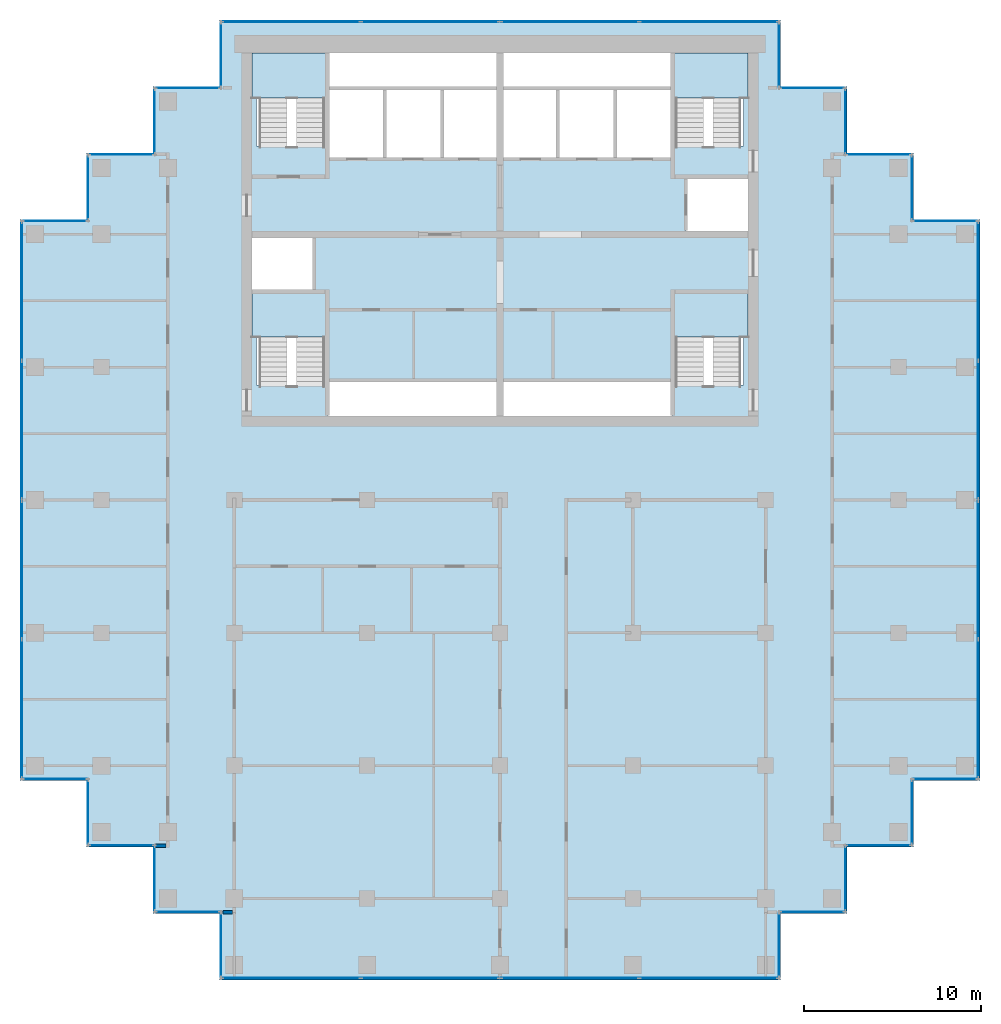
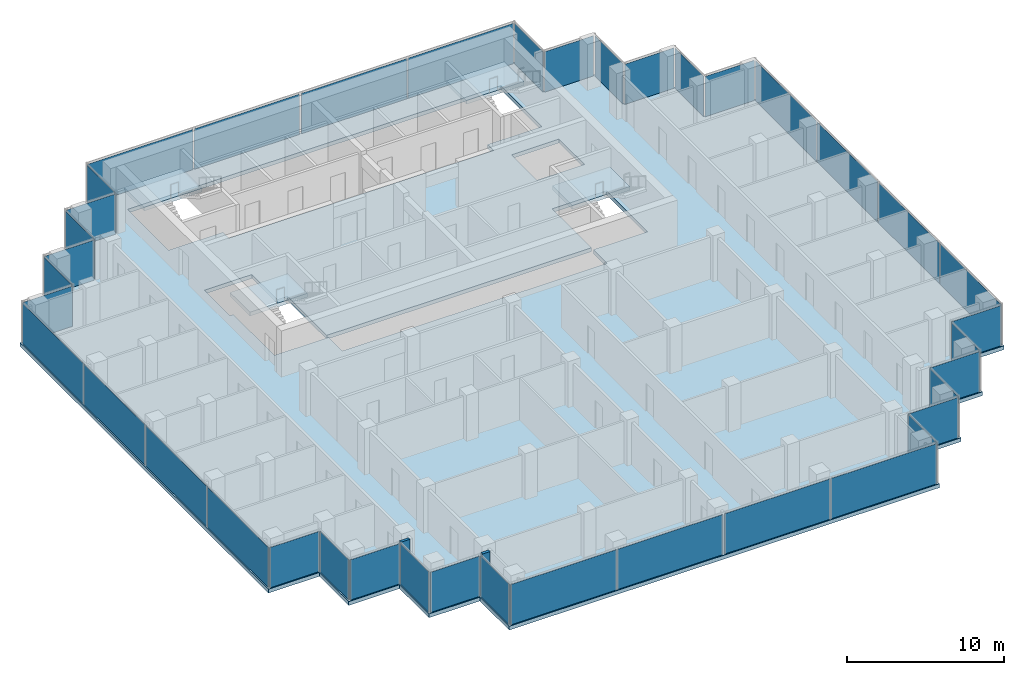
# One storey, part 7 of 12: 40 plates, 5 slabs, 2 walls, 36 elements without a shape of their own.
"""IFC4 building model written with IfcOpenShell, lengths in metres."""

from ifc_helpers import new_model, si_unit, direction, frame, frame_2d, origin, origin_2d, place, context, subcontext, project, spatial, polyline, rectangle, outline, extrude, material, layer, layer_set, type_object, element, aggregate, save


model = new_model("IFC4")

# Units and contexts
model_context = context("Model", 3, precision=1e-05, world=origin(), true_north=direction((0.0, 1.0)))
body_context = subcontext(model_context, "Body", "Model", "MODEL_VIEW")
ifc_project = project(units=[si_unit("LENGTHUNIT", "METRE"), si_unit("AREAUNIT", "SQUARE_METRE"), si_unit("VOLUMEUNIT", "CUBIC_METRE"), si_unit("PLANEANGLEUNIT", "RADIAN"), si_unit("MASSUNIT", "GRAM", prefix="KILO")], contexts=[model_context])

# Site, building, storey
site_placement = place(None, origin())
site = spatial("IfcSite", under=ifc_project, at=site_placement, CompositionType="ELEMENT")
building_placement = place(site_placement, origin())
building = spatial("IfcBuilding", under=site, at=building_placement, Name="Pilkhan Gate Tower", CompositionType="ELEMENT")
storey_placement = place(building_placement, frame((0.0, 0.0, 188.699951171875)))
storey = spatial("IfcBuildingStorey", under=building, at=storey_placement, Name="L48", CompositionType="ELEMENT", Elevation=188.699951171875)

# Slab
ifc_material_1 = material(Name="Concrete C40/50", Category="concrete")
ifc_layer_1 = layer(ifc_material_1, 0.300048828125)
ifc_layer_set_1 = layer_set([ifc_layer_1], Name="Flat plate slab FP300")
slab_type_1 = type_object("IfcSlabType", Name="Flat plate slab FP300", PredefinedType="FLOOR", material=ifc_layer_set_1)
slab_1_placement = place(storey_placement, frame((0.0, 0.0, -0.300048828125)))
element("IfcSlab", 1, at=slab_1_placement, inside=storey, type_object=slab_type_1, Name="Floor slab L48", PredefinedType="FLOOR", context=body_context, shape_type="SweptSolid", body=[
    extrude(outline(polyline([(98.35009765625, 47.89990234375), (94.60009765625, 47.89990234375), (94.60009765625, 44.14990234375), (90.85009765625, 44.14990234375), (90.85009765625, 40.39990234375), (59.14990234375, 40.39990234375), (59.14990234375, 44.14990234375), (55.39990234375, 44.14990234375), (55.39990234375, 47.89990234375), (51.64990234375, 47.89990234375), (51.64990234375, 51.64990234375), (47.89990234375, 51.64990234375), (47.89990234375, 83.35009765625), (51.64990234375, 83.35009765625), (51.64990234375, 87.10009765625), (55.39990234375, 87.10009765625), (55.39990234375, 90.85009765625), (59.14990234375, 90.85009765625), (59.14990234375, 94.60009765625), (90.85009765625, 94.60009765625), (90.85009765625, 90.85009765625), (94.60009765625, 90.85009765625), (94.60009765625, 87.10009765625), (98.35009765625, 87.10009765625), (98.35009765625, 83.35009765625), (102.10009765625, 83.35009765625), (102.10009765625, 51.64990234375), (98.35009765625, 51.64990234375), (98.35009765625, 47.89990234375)]), holes=[polyline([(75.0, 72.25), (84.75, 72.25), (84.75, 74.0), (88.75, 74.0), (88.75, 79.25), (84.75, 79.25), (84.75, 74.25), (75.0, 74.25), (65.25, 74.25), (65.25, 79.25), (64.5, 79.25), (64.5, 82.5), (61.25, 82.5), (61.0, 82.5), (61.0, 79.25), (61.25, 79.25), (61.25, 74.0), (65.25, 74.0), (65.25, 72.25), (75.0, 72.25)]), polyline([(68.5, 86.75), (71.75, 86.75), (75.0, 86.75), (78.25, 86.75), (81.5, 86.75), (84.75, 86.75), (84.75, 87.5), (88.75, 87.5), (88.75, 92.75), (84.75, 92.75), (75.0, 92.75), (65.25, 92.75), (61.25, 92.75), (61.25, 87.5), (65.25, 87.5), (65.25, 86.75), (68.5, 86.75)]), polyline([(85.5, 85.75), (85.5, 82.5), (88.75, 82.5), (89.0, 82.5), (89.0, 85.75), (88.75, 85.75), (85.5, 85.75)])]), origin(), (0.0, 0.0, 1.0), 0.300048828125),
])

# Curtain wall, plates
ifc_material_2 = material(Name="Pale anodised aluminium, clear low-iron double glazing", Category="aluminium")
curtain_wall_type = type_object("IfcCurtainWallType", Name="Office unitised curtain wall CW-O2", PredefinedType="USERDEFINED", material=ifc_material_2)
curtain_wall_1_placement = place(storey_placement, origin())
curtain_wall_1 = element("IfcCurtainWall", 2, at=curtain_wall_1_placement, inside=storey, type_object=curtain_wall_type, Name="Office unitised curtain wall CW-O2 L48 E", ObjectType="UNITISED CURTAIN WALL", PredefinedType="USERDEFINED")
ifc_material_3 = material(Name="Clear low-iron double glazing", Category="glass")
ifc_layer_2 = layer(ifc_material_3, 0.031982421875)
ifc_layer_set_2 = layer_set([ifc_layer_2], Name="Glass panel CW-O2 32")
plate_type = type_object("IfcPlateType", Name="Glass panel CW-O2 32", PredefinedType="CURTAIN_PANEL", material=ifc_layer_set_2)
plate_1_placement = place(storey_placement, frame((102.0, 55.703857421875, 0.0), z_axis=(0.0, 0.0, 1.0), x_axis=(0.0, 1.0, 0.0)))
plate_1 = element("IfcPlate", 3, at=plate_1_placement, type_object=plate_type, Name="CW-O2 panel 1", PredefinedType="CURTAIN_PANEL", context=body_context, shape_type="SweptSolid", body=[
    extrude(rectangle(XDim=7.777587890625, YDim=0.031982421875, at=origin_2d()), origin(), (0.0, 0.0, 1.0), 3.135009765625),
])
plate_2_placement = place(storey_placement, frame((102.0, 63.546142578125, 0.0), z_axis=(0.0, 0.0, 1.0), x_axis=(0.0, 1.0, 0.0)))
plate_2 = element("IfcPlate", 4, at=plate_2_placement, type_object=plate_type, Name="CW-O2 panel 2", PredefinedType="CURTAIN_PANEL", context=body_context, shape_type="SweptSolid", body=[
    extrude(rectangle(XDim=7.777587890625, YDim=0.031982421875, at=origin_2d()), origin(), (0.0, 0.0, 1.0), 3.135009765625),
])
aggregate(curtain_wall_1, [plate_1, plate_2])

curtain_wall_2_placement = place(storey_placement, origin())
curtain_wall_2 = element("IfcCurtainWall", 5, at=curtain_wall_2_placement, inside=storey, type_object=curtain_wall_type, Name="Office unitised curtain wall CW-O2 L48 E", ObjectType="UNITISED CURTAIN WALL", PredefinedType="USERDEFINED")
plate_3_placement = place(storey_placement, frame((102.0, 71.453857421875, 0.0), z_axis=(0.0, 0.0, 1.0), x_axis=(0.0, 1.0, 0.0)))
plate_3 = element("IfcPlate", 6, at=plate_3_placement, type_object=plate_type, Name="CW-O2 panel 1", PredefinedType="CURTAIN_PANEL", context=body_context, shape_type="SweptSolid", body=[
    extrude(rectangle(XDim=7.777587890625, YDim=0.031982421875, at=origin_2d()), origin(), (0.0, 0.0, 1.0), 3.135009765625),
])
plate_4_placement = place(storey_placement, frame((102.0, 79.296142578125, 0.0), z_axis=(0.0, 0.0, 1.0), x_axis=(0.0, 1.0, 0.0)))
plate_4 = element("IfcPlate", 7, at=plate_4_placement, type_object=plate_type, Name="CW-O2 panel 2", PredefinedType="CURTAIN_PANEL", context=body_context, shape_type="SweptSolid", body=[
    extrude(rectangle(XDim=7.777587890625, YDim=0.031982421875, at=origin_2d()), origin(), (0.0, 0.0, 1.0), 3.135009765625),
])
aggregate(curtain_wall_2, [plate_3, plate_4])

# Curtain wall, plate
curtain_wall_3_placement = place(storey_placement, origin())
curtain_wall_3 = element("IfcCurtainWall", 8, at=curtain_wall_3_placement, inside=storey, type_object=curtain_wall_type, Name="Office unitised curtain wall CW-O2 L48 N", ObjectType="UNITISED CURTAIN WALL", PredefinedType="USERDEFINED")
plate_5_placement = place(storey_placement, frame((100.125, 83.25, 0.0), z_axis=(0.0, 0.0, 1.0), x_axis=(1.0, 0.0, 0.0)))
plate_5 = element("IfcPlate", 9, at=plate_5_placement, type_object=plate_type, Name="CW-O2 panel 1", PredefinedType="CURTAIN_PANEL", context=body_context, shape_type="SweptSolid", body=[
    extrude(rectangle(XDim=3.6201171875, YDim=0.031982421875, at=origin_2d()), origin(), (0.0, 0.0, 1.0), 3.135009765625),
])
aggregate(curtain_wall_3, [plate_5])

curtain_wall_4_placement = place(storey_placement, origin())
curtain_wall_4 = element("IfcCurtainWall", 10, at=curtain_wall_4_placement, inside=storey, type_object=curtain_wall_type, Name="Office unitised curtain wall CW-O2 L48 E", ObjectType="UNITISED CURTAIN WALL", PredefinedType="USERDEFINED")
plate_6_placement = place(storey_placement, frame((98.25, 85.125, 0.0), z_axis=(0.0, 0.0, 1.0), x_axis=(0.0, 1.0, 0.0)))
plate_6 = element("IfcPlate", 11, at=plate_6_placement, type_object=plate_type, Name="CW-O2 panel 1", PredefinedType="CURTAIN_PANEL", context=body_context, shape_type="SweptSolid", body=[
    extrude(rectangle(XDim=3.6201171875, YDim=0.031982421875, at=origin_2d()), origin(), (0.0, 0.0, 1.0), 3.135009765625),
])
aggregate(curtain_wall_4, [plate_6])

curtain_wall_5_placement = place(storey_placement, origin())
curtain_wall_5 = element("IfcCurtainWall", 12, at=curtain_wall_5_placement, inside=storey, type_object=curtain_wall_type, Name="Office unitised curtain wall CW-O2 L48 N", ObjectType="UNITISED CURTAIN WALL", PredefinedType="USERDEFINED")
plate_7_placement = place(storey_placement, frame((96.375, 87.0, 0.0), z_axis=(0.0, 0.0, 1.0), x_axis=(1.0, 0.0, 0.0)))
plate_7 = element("IfcPlate", 13, at=plate_7_placement, type_object=plate_type, Name="CW-O2 panel 1", PredefinedType="CURTAIN_PANEL", context=body_context, shape_type="SweptSolid", body=[
    extrude(rectangle(XDim=3.6201171875, YDim=0.031982421875, at=origin_2d()), origin(), (0.0, 0.0, 1.0), 3.135009765625),
])
aggregate(curtain_wall_5, [plate_7])

curtain_wall_6_placement = place(storey_placement, origin())
curtain_wall_6 = element("IfcCurtainWall", 14, at=curtain_wall_6_placement, inside=storey, type_object=curtain_wall_type, Name="Office unitised curtain wall CW-O2 L48 E", ObjectType="UNITISED CURTAIN WALL", PredefinedType="USERDEFINED")
plate_8_placement = place(storey_placement, frame((94.5, 88.875, 0.0), z_axis=(0.0, 0.0, 1.0), x_axis=(0.0, 1.0, 0.0)))
plate_8 = element("IfcPlate", 15, at=plate_8_placement, type_object=plate_type, Name="CW-O2 panel 1", PredefinedType="CURTAIN_PANEL", context=body_context, shape_type="SweptSolid", body=[
    extrude(rectangle(XDim=3.6201171875, YDim=0.031982421875, at=origin_2d()), origin(), (0.0, 0.0, 1.0), 3.135009765625),
])
aggregate(curtain_wall_6, [plate_8])

curtain_wall_7_placement = place(storey_placement, origin())
curtain_wall_7 = element("IfcCurtainWall", 16, at=curtain_wall_7_placement, inside=storey, type_object=curtain_wall_type, Name="Office unitised curtain wall CW-O2 L48 N", ObjectType="UNITISED CURTAIN WALL", PredefinedType="USERDEFINED")
plate_9_placement = place(storey_placement, frame((92.625, 90.75, 0.0), z_axis=(0.0, 0.0, 1.0), x_axis=(1.0, 0.0, 0.0)))
plate_9 = element("IfcPlate", 17, at=plate_9_placement, type_object=plate_type, Name="CW-O2 panel 1", PredefinedType="CURTAIN_PANEL", context=body_context, shape_type="SweptSolid", body=[
    extrude(rectangle(XDim=3.6201171875, YDim=0.031982421875, at=origin_2d()), origin(), (0.0, 0.0, 1.0), 3.135009765625),
])
aggregate(curtain_wall_7, [plate_9])

curtain_wall_8_placement = place(storey_placement, origin())
curtain_wall_8 = element("IfcCurtainWall", 18, at=curtain_wall_8_placement, inside=storey, type_object=curtain_wall_type, Name="Office unitised curtain wall CW-O2 L48 E", ObjectType="UNITISED CURTAIN WALL", PredefinedType="USERDEFINED")
plate_10_placement = place(storey_placement, frame((90.75, 92.625, 0.0), z_axis=(0.0, 0.0, 1.0), x_axis=(0.0, 1.0, 0.0)))
plate_10 = element("IfcPlate", 19, at=plate_10_placement, type_object=plate_type, Name="CW-O2 panel 1", PredefinedType="CURTAIN_PANEL", context=body_context, shape_type="SweptSolid", body=[
    extrude(rectangle(XDim=3.6201171875, YDim=0.031982421875, at=origin_2d()), origin(), (0.0, 0.0, 1.0), 3.135009765625),
])
aggregate(curtain_wall_8, [plate_10])

# Curtain wall, plates
curtain_wall_9_placement = place(storey_placement, origin())
curtain_wall_9 = element("IfcCurtainWall", 20, at=curtain_wall_9_placement, inside=storey, type_object=curtain_wall_type, Name="Office unitised curtain wall CW-O2 L48 N", ObjectType="UNITISED CURTAIN WALL", PredefinedType="USERDEFINED")
plate_11_placement = place(storey_placement, frame((63.203857421875, 94.5, 0.0), z_axis=(0.0, 0.0, 1.0), x_axis=(1.0, 0.0, 0.0)))
plate_11 = element("IfcPlate", 21, at=plate_11_placement, type_object=plate_type, Name="CW-O2 panel 1", PredefinedType="CURTAIN_PANEL", context=body_context, shape_type="SweptSolid", body=[
    extrude(rectangle(XDim=7.777587890625, YDim=0.031982421875, at=origin_2d()), origin(), (0.0, 0.0, 1.0), 3.135009765625),
])
plate_12_placement = place(storey_placement, frame((71.046142578125, 94.5, 0.0), z_axis=(0.0, 0.0, 1.0), x_axis=(1.0, 0.0, 0.0)))
plate_12 = element("IfcPlate", 22, at=plate_12_placement, type_object=plate_type, Name="CW-O2 panel 2", PredefinedType="CURTAIN_PANEL", context=body_context, shape_type="SweptSolid", body=[
    extrude(rectangle(XDim=7.777587890625, YDim=0.031982421875, at=origin_2d()), origin(), (0.0, 0.0, 1.0), 3.135009765625),
])
aggregate(curtain_wall_9, [plate_11, plate_12])

curtain_wall_10_placement = place(storey_placement, origin())
curtain_wall_10 = element("IfcCurtainWall", 23, at=curtain_wall_10_placement, inside=storey, type_object=curtain_wall_type, Name="Office unitised curtain wall CW-O2 L48 N", ObjectType="UNITISED CURTAIN WALL", PredefinedType="USERDEFINED")
plate_13_placement = place(storey_placement, frame((78.953857421875, 94.5, 0.0), z_axis=(0.0, 0.0, 1.0), x_axis=(1.0, 0.0, 0.0)))
plate_13 = element("IfcPlate", 24, at=plate_13_placement, type_object=plate_type, Name="CW-O2 panel 1", PredefinedType="CURTAIN_PANEL", context=body_context, shape_type="SweptSolid", body=[
    extrude(rectangle(XDim=7.777587890625, YDim=0.031982421875, at=origin_2d()), origin(), (0.0, 0.0, 1.0), 3.135009765625),
])
plate_14_placement = place(storey_placement, frame((86.796142578125, 94.5, 0.0), z_axis=(0.0, 0.0, 1.0), x_axis=(1.0, 0.0, 0.0)))
plate_14 = element("IfcPlate", 25, at=plate_14_placement, type_object=plate_type, Name="CW-O2 panel 2", PredefinedType="CURTAIN_PANEL", context=body_context, shape_type="SweptSolid", body=[
    extrude(rectangle(XDim=7.777587890625, YDim=0.031982421875, at=origin_2d()), origin(), (0.0, 0.0, 1.0), 3.135009765625),
])
aggregate(curtain_wall_10, [plate_13, plate_14])

# Curtain wall, plate
curtain_wall_11_placement = place(storey_placement, origin())
curtain_wall_11 = element("IfcCurtainWall", 26, at=curtain_wall_11_placement, inside=storey, type_object=curtain_wall_type, Name="Office unitised curtain wall CW-O2 L48 W", ObjectType="UNITISED CURTAIN WALL", PredefinedType="USERDEFINED")
plate_15_placement = place(storey_placement, frame((59.25, 92.625, 0.0), z_axis=(0.0, 0.0, 1.0), x_axis=(0.0, 1.0, 0.0)))
plate_15 = element("IfcPlate", 27, at=plate_15_placement, type_object=plate_type, Name="CW-O2 panel 1", PredefinedType="CURTAIN_PANEL", context=body_context, shape_type="SweptSolid", body=[
    extrude(rectangle(XDim=3.6201171875, YDim=0.031982421875, at=origin_2d()), origin(), (0.0, 0.0, 1.0), 3.135009765625),
])
aggregate(curtain_wall_11, [plate_15])

curtain_wall_12_placement = place(storey_placement, origin())
curtain_wall_12 = element("IfcCurtainWall", 28, at=curtain_wall_12_placement, inside=storey, type_object=curtain_wall_type, Name="Office unitised curtain wall CW-O2 L48 N", ObjectType="UNITISED CURTAIN WALL", PredefinedType="USERDEFINED")
plate_16_placement = place(storey_placement, frame((57.375, 90.75, 0.0), z_axis=(0.0, 0.0, 1.0), x_axis=(1.0, 0.0, 0.0)))
plate_16 = element("IfcPlate", 29, at=plate_16_placement, type_object=plate_type, Name="CW-O2 panel 1", PredefinedType="CURTAIN_PANEL", context=body_context, shape_type="SweptSolid", body=[
    extrude(rectangle(XDim=3.6201171875, YDim=0.031982421875, at=origin_2d()), origin(), (0.0, 0.0, 1.0), 3.135009765625),
])
aggregate(curtain_wall_12, [plate_16])

curtain_wall_13_placement = place(storey_placement, origin())
curtain_wall_13 = element("IfcCurtainWall", 30, at=curtain_wall_13_placement, inside=storey, type_object=curtain_wall_type, Name="Office unitised curtain wall CW-O2 L48 W", ObjectType="UNITISED CURTAIN WALL", PredefinedType="USERDEFINED")
plate_17_placement = place(storey_placement, frame((55.5, 88.875, 0.0), z_axis=(0.0, 0.0, 1.0), x_axis=(0.0, 1.0, 0.0)))
plate_17 = element("IfcPlate", 31, at=plate_17_placement, type_object=plate_type, Name="CW-O2 panel 1", PredefinedType="CURTAIN_PANEL", context=body_context, shape_type="SweptSolid", body=[
    extrude(rectangle(XDim=3.6201171875, YDim=0.031982421875, at=origin_2d()), origin(), (0.0, 0.0, 1.0), 3.135009765625),
])
aggregate(curtain_wall_13, [plate_17])

curtain_wall_14_placement = place(storey_placement, origin())
curtain_wall_14 = element("IfcCurtainWall", 32, at=curtain_wall_14_placement, inside=storey, type_object=curtain_wall_type, Name="Office unitised curtain wall CW-O2 L48 N", ObjectType="UNITISED CURTAIN WALL", PredefinedType="USERDEFINED")
plate_18_placement = place(storey_placement, frame((53.625, 87.0, 0.0), z_axis=(0.0, 0.0, 1.0), x_axis=(1.0, 0.0, 0.0)))
plate_18 = element("IfcPlate", 33, at=plate_18_placement, type_object=plate_type, Name="CW-O2 panel 1", PredefinedType="CURTAIN_PANEL", context=body_context, shape_type="SweptSolid", body=[
    extrude(rectangle(XDim=3.6201171875, YDim=0.031982421875, at=origin_2d()), origin(), (0.0, 0.0, 1.0), 3.135009765625),
])
aggregate(curtain_wall_14, [plate_18])

curtain_wall_15_placement = place(storey_placement, origin())
curtain_wall_15 = element("IfcCurtainWall", 34, at=curtain_wall_15_placement, inside=storey, type_object=curtain_wall_type, Name="Office unitised curtain wall CW-O2 L48 W", ObjectType="UNITISED CURTAIN WALL", PredefinedType="USERDEFINED")
plate_19_placement = place(storey_placement, frame((51.75, 85.125, 0.0), z_axis=(0.0, 0.0, 1.0), x_axis=(0.0, 1.0, 0.0)))
plate_19 = element("IfcPlate", 35, at=plate_19_placement, type_object=plate_type, Name="CW-O2 panel 1", PredefinedType="CURTAIN_PANEL", context=body_context, shape_type="SweptSolid", body=[
    extrude(rectangle(XDim=3.6201171875, YDim=0.031982421875, at=origin_2d()), origin(), (0.0, 0.0, 1.0), 3.135009765625),
])
aggregate(curtain_wall_15, [plate_19])

curtain_wall_16_placement = place(storey_placement, origin())
curtain_wall_16 = element("IfcCurtainWall", 36, at=curtain_wall_16_placement, inside=storey, type_object=curtain_wall_type, Name="Office unitised curtain wall CW-O2 L48 N", ObjectType="UNITISED CURTAIN WALL", PredefinedType="USERDEFINED")
plate_20_placement = place(storey_placement, frame((49.875, 83.25, 0.0), z_axis=(0.0, 0.0, 1.0), x_axis=(1.0, 0.0, 0.0)))
plate_20 = element("IfcPlate", 37, at=plate_20_placement, type_object=plate_type, Name="CW-O2 panel 1", PredefinedType="CURTAIN_PANEL", context=body_context, shape_type="SweptSolid", body=[
    extrude(rectangle(XDim=3.6201171875, YDim=0.031982421875, at=origin_2d()), origin(), (0.0, 0.0, 1.0), 3.135009765625),
])
aggregate(curtain_wall_16, [plate_20])

# Curtain wall, plates
curtain_wall_17_placement = place(storey_placement, origin())
curtain_wall_17 = element("IfcCurtainWall", 38, at=curtain_wall_17_placement, inside=storey, type_object=curtain_wall_type, Name="Office unitised curtain wall CW-O2 L48 W", ObjectType="UNITISED CURTAIN WALL", PredefinedType="USERDEFINED")
plate_21_placement = place(storey_placement, frame((48.0, 55.703857421875, 0.0), z_axis=(0.0, 0.0, 1.0), x_axis=(0.0, 1.0, 0.0)))
plate_21 = element("IfcPlate", 39, at=plate_21_placement, type_object=plate_type, Name="CW-O2 panel 1", PredefinedType="CURTAIN_PANEL", context=body_context, shape_type="SweptSolid", body=[
    extrude(rectangle(XDim=7.777587890625, YDim=0.031982421875, at=origin_2d()), origin(), (0.0, 0.0, 1.0), 3.135009765625),
])
plate_22_placement = place(storey_placement, frame((48.0, 63.546142578125, 0.0), z_axis=(0.0, 0.0, 1.0), x_axis=(0.0, 1.0, 0.0)))
plate_22 = element("IfcPlate", 40, at=plate_22_placement, type_object=plate_type, Name="CW-O2 panel 2", PredefinedType="CURTAIN_PANEL", context=body_context, shape_type="SweptSolid", body=[
    extrude(rectangle(XDim=7.777587890625, YDim=0.031982421875, at=origin_2d()), origin(), (0.0, 0.0, 1.0), 3.135009765625),
])
aggregate(curtain_wall_17, [plate_21, plate_22])

curtain_wall_18_placement = place(storey_placement, origin())
curtain_wall_18 = element("IfcCurtainWall", 41, at=curtain_wall_18_placement, inside=storey, type_object=curtain_wall_type, Name="Office unitised curtain wall CW-O2 L48 W", ObjectType="UNITISED CURTAIN WALL", PredefinedType="USERDEFINED")
plate_23_placement = place(storey_placement, frame((48.0, 71.453857421875, 0.0), z_axis=(0.0, 0.0, 1.0), x_axis=(0.0, 1.0, 0.0)))
plate_23 = element("IfcPlate", 42, at=plate_23_placement, type_object=plate_type, Name="CW-O2 panel 1", PredefinedType="CURTAIN_PANEL", context=body_context, shape_type="SweptSolid", body=[
    extrude(rectangle(XDim=7.777587890625, YDim=0.031982421875, at=origin_2d()), origin(), (0.0, 0.0, 1.0), 3.135009765625),
])
plate_24_placement = place(storey_placement, frame((48.0, 79.296142578125, 0.0), z_axis=(0.0, 0.0, 1.0), x_axis=(0.0, 1.0, 0.0)))
plate_24 = element("IfcPlate", 43, at=plate_24_placement, type_object=plate_type, Name="CW-O2 panel 2", PredefinedType="CURTAIN_PANEL", context=body_context, shape_type="SweptSolid", body=[
    extrude(rectangle(XDim=7.777587890625, YDim=0.031982421875, at=origin_2d()), origin(), (0.0, 0.0, 1.0), 3.135009765625),
])
aggregate(curtain_wall_18, [plate_23, plate_24])

# Curtain wall, plate
curtain_wall_19_placement = place(storey_placement, origin())
curtain_wall_19 = element("IfcCurtainWall", 44, at=curtain_wall_19_placement, inside=storey, type_object=curtain_wall_type, Name="Office unitised curtain wall CW-O2 L48 S", ObjectType="UNITISED CURTAIN WALL", PredefinedType="USERDEFINED")
plate_25_placement = place(storey_placement, frame((49.875, 51.75, 0.0), z_axis=(0.0, 0.0, 1.0), x_axis=(1.0, 0.0, 0.0)))
plate_25 = element("IfcPlate", 45, at=plate_25_placement, type_object=plate_type, Name="CW-O2 panel 1", PredefinedType="CURTAIN_PANEL", context=body_context, shape_type="SweptSolid", body=[
    extrude(rectangle(XDim=3.6201171875, YDim=0.031982421875, at=origin_2d()), origin(), (0.0, 0.0, 1.0), 3.135009765625),
])
aggregate(curtain_wall_19, [plate_25])

curtain_wall_20_placement = place(storey_placement, origin())
curtain_wall_20 = element("IfcCurtainWall", 46, at=curtain_wall_20_placement, inside=storey, type_object=curtain_wall_type, Name="Office unitised curtain wall CW-O2 L48 W", ObjectType="UNITISED CURTAIN WALL", PredefinedType="USERDEFINED")
plate_26_placement = place(storey_placement, frame((51.75, 49.875, 0.0), z_axis=(0.0, 0.0, 1.0), x_axis=(0.0, 1.0, 0.0)))
plate_26 = element("IfcPlate", 47, at=plate_26_placement, type_object=plate_type, Name="CW-O2 panel 1", PredefinedType="CURTAIN_PANEL", context=body_context, shape_type="SweptSolid", body=[
    extrude(rectangle(XDim=3.6201171875, YDim=0.031982421875, at=origin_2d()), origin(), (0.0, 0.0, 1.0), 3.135009765625),
])
aggregate(curtain_wall_20, [plate_26])

curtain_wall_21_placement = place(storey_placement, origin())
curtain_wall_21 = element("IfcCurtainWall", 48, at=curtain_wall_21_placement, inside=storey, type_object=curtain_wall_type, Name="Office unitised curtain wall CW-O2 L48 S", ObjectType="UNITISED CURTAIN WALL", PredefinedType="USERDEFINED")
plate_27_placement = place(storey_placement, frame((53.625, 48.0, 0.0), z_axis=(0.0, 0.0, 1.0), x_axis=(1.0, 0.0, 0.0)))
plate_27 = element("IfcPlate", 49, at=plate_27_placement, type_object=plate_type, Name="CW-O2 panel 1", PredefinedType="CURTAIN_PANEL", context=body_context, shape_type="SweptSolid", body=[
    extrude(rectangle(XDim=3.6201171875, YDim=0.031982421875, at=origin_2d()), origin(), (0.0, 0.0, 1.0), 3.135009765625),
])
aggregate(curtain_wall_21, [plate_27])

curtain_wall_22_placement = place(storey_placement, origin())
curtain_wall_22 = element("IfcCurtainWall", 50, at=curtain_wall_22_placement, inside=storey, type_object=curtain_wall_type, Name="Office unitised curtain wall CW-O2 L48 W", ObjectType="UNITISED CURTAIN WALL", PredefinedType="USERDEFINED")
plate_28_placement = place(storey_placement, frame((55.5, 46.125, 0.0), z_axis=(0.0, 0.0, 1.0), x_axis=(0.0, 1.0, 0.0)))
plate_28 = element("IfcPlate", 51, at=plate_28_placement, type_object=plate_type, Name="CW-O2 panel 1", PredefinedType="CURTAIN_PANEL", context=body_context, shape_type="SweptSolid", body=[
    extrude(rectangle(XDim=3.6201171875, YDim=0.031982421875, at=origin_2d()), origin(), (0.0, 0.0, 1.0), 3.135009765625),
])
aggregate(curtain_wall_22, [plate_28])

curtain_wall_23_placement = place(storey_placement, origin())
curtain_wall_23 = element("IfcCurtainWall", 52, at=curtain_wall_23_placement, inside=storey, type_object=curtain_wall_type, Name="Office unitised curtain wall CW-O2 L48 S", ObjectType="UNITISED CURTAIN WALL", PredefinedType="USERDEFINED")
plate_29_placement = place(storey_placement, frame((57.375, 44.25, 0.0), z_axis=(0.0, 0.0, 1.0), x_axis=(1.0, 0.0, 0.0)))
plate_29 = element("IfcPlate", 53, at=plate_29_placement, type_object=plate_type, Name="CW-O2 panel 1", PredefinedType="CURTAIN_PANEL", context=body_context, shape_type="SweptSolid", body=[
    extrude(rectangle(XDim=3.6201171875, YDim=0.031982421875, at=origin_2d()), origin(), (0.0, 0.0, 1.0), 3.135009765625),
])
aggregate(curtain_wall_23, [plate_29])

curtain_wall_24_placement = place(storey_placement, origin())
curtain_wall_24 = element("IfcCurtainWall", 54, at=curtain_wall_24_placement, inside=storey, type_object=curtain_wall_type, Name="Office unitised curtain wall CW-O2 L48 W", ObjectType="UNITISED CURTAIN WALL", PredefinedType="USERDEFINED")
plate_30_placement = place(storey_placement, frame((59.25, 42.375, 0.0), z_axis=(0.0, 0.0, 1.0), x_axis=(0.0, 1.0, 0.0)))
plate_30 = element("IfcPlate", 55, at=plate_30_placement, type_object=plate_type, Name="CW-O2 panel 1", PredefinedType="CURTAIN_PANEL", context=body_context, shape_type="SweptSolid", body=[
    extrude(rectangle(XDim=3.6201171875, YDim=0.031982421875, at=origin_2d()), origin(), (0.0, 0.0, 1.0), 3.135009765625),
])
aggregate(curtain_wall_24, [plate_30])

# Curtain wall, plates
curtain_wall_25_placement = place(storey_placement, origin())
curtain_wall_25 = element("IfcCurtainWall", 56, at=curtain_wall_25_placement, inside=storey, type_object=curtain_wall_type, Name="Office unitised curtain wall CW-O2 L48 S", ObjectType="UNITISED CURTAIN WALL", PredefinedType="USERDEFINED")
plate_31_placement = place(storey_placement, frame((63.203857421875, 40.5, 0.0), z_axis=(0.0, 0.0, 1.0), x_axis=(1.0, 0.0, 0.0)))
plate_31 = element("IfcPlate", 57, at=plate_31_placement, type_object=plate_type, Name="CW-O2 panel 1", PredefinedType="CURTAIN_PANEL", context=body_context, shape_type="SweptSolid", body=[
    extrude(rectangle(XDim=7.777587890625, YDim=0.031982421875, at=origin_2d()), origin(), (0.0, 0.0, 1.0), 3.135009765625),
])
plate_32_placement = place(storey_placement, frame((71.046142578125, 40.5, 0.0), z_axis=(0.0, 0.0, 1.0), x_axis=(1.0, 0.0, 0.0)))
plate_32 = element("IfcPlate", 58, at=plate_32_placement, type_object=plate_type, Name="CW-O2 panel 2", PredefinedType="CURTAIN_PANEL", context=body_context, shape_type="SweptSolid", body=[
    extrude(rectangle(XDim=7.777587890625, YDim=0.031982421875, at=origin_2d()), origin(), (0.0, 0.0, 1.0), 3.135009765625),
])
aggregate(curtain_wall_25, [plate_31, plate_32])

curtain_wall_26_placement = place(storey_placement, origin())
curtain_wall_26 = element("IfcCurtainWall", 59, at=curtain_wall_26_placement, inside=storey, type_object=curtain_wall_type, Name="Office unitised curtain wall CW-O2 L48 S", ObjectType="UNITISED CURTAIN WALL", PredefinedType="USERDEFINED")
plate_33_placement = place(storey_placement, frame((78.953857421875, 40.5, 0.0), z_axis=(0.0, 0.0, 1.0), x_axis=(1.0, 0.0, 0.0)))
plate_33 = element("IfcPlate", 60, at=plate_33_placement, type_object=plate_type, Name="CW-O2 panel 1", PredefinedType="CURTAIN_PANEL", context=body_context, shape_type="SweptSolid", body=[
    extrude(rectangle(XDim=7.777587890625, YDim=0.031982421875, at=origin_2d()), origin(), (0.0, 0.0, 1.0), 3.135009765625),
])
plate_34_placement = place(storey_placement, frame((86.796142578125, 40.5, 0.0), z_axis=(0.0, 0.0, 1.0), x_axis=(1.0, 0.0, 0.0)))
plate_34 = element("IfcPlate", 61, at=plate_34_placement, type_object=plate_type, Name="CW-O2 panel 2", PredefinedType="CURTAIN_PANEL", context=body_context, shape_type="SweptSolid", body=[
    extrude(rectangle(XDim=7.777587890625, YDim=0.031982421875, at=origin_2d()), origin(), (0.0, 0.0, 1.0), 3.135009765625),
])
aggregate(curtain_wall_26, [plate_33, plate_34])

# Curtain wall, plate
curtain_wall_27_placement = place(storey_placement, origin())
curtain_wall_27 = element("IfcCurtainWall", 62, at=curtain_wall_27_placement, inside=storey, type_object=curtain_wall_type, Name="Office unitised curtain wall CW-O2 L48 E", ObjectType="UNITISED CURTAIN WALL", PredefinedType="USERDEFINED")
plate_35_placement = place(storey_placement, frame((90.75, 42.375, 0.0), z_axis=(0.0, 0.0, 1.0), x_axis=(0.0, 1.0, 0.0)))
plate_35 = element("IfcPlate", 63, at=plate_35_placement, type_object=plate_type, Name="CW-O2 panel 1", PredefinedType="CURTAIN_PANEL", context=body_context, shape_type="SweptSolid", body=[
    extrude(rectangle(XDim=3.6201171875, YDim=0.031982421875, at=origin_2d()), origin(), (0.0, 0.0, 1.0), 3.135009765625),
])
aggregate(curtain_wall_27, [plate_35])

curtain_wall_28_placement = place(storey_placement, origin())
curtain_wall_28 = element("IfcCurtainWall", 64, at=curtain_wall_28_placement, inside=storey, type_object=curtain_wall_type, Name="Office unitised curtain wall CW-O2 L48 S", ObjectType="UNITISED CURTAIN WALL", PredefinedType="USERDEFINED")
plate_36_placement = place(storey_placement, frame((92.625, 44.25, 0.0), z_axis=(0.0, 0.0, 1.0), x_axis=(1.0, 0.0, 0.0)))
plate_36 = element("IfcPlate", 65, at=plate_36_placement, type_object=plate_type, Name="CW-O2 panel 1", PredefinedType="CURTAIN_PANEL", context=body_context, shape_type="SweptSolid", body=[
    extrude(rectangle(XDim=3.6201171875, YDim=0.031982421875, at=origin_2d()), origin(), (0.0, 0.0, 1.0), 3.135009765625),
])
aggregate(curtain_wall_28, [plate_36])

curtain_wall_29_placement = place(storey_placement, origin())
curtain_wall_29 = element("IfcCurtainWall", 66, at=curtain_wall_29_placement, inside=storey, type_object=curtain_wall_type, Name="Office unitised curtain wall CW-O2 L48 E", ObjectType="UNITISED CURTAIN WALL", PredefinedType="USERDEFINED")
plate_37_placement = place(storey_placement, frame((94.5, 46.125, 0.0), z_axis=(0.0, 0.0, 1.0), x_axis=(0.0, 1.0, 0.0)))
plate_37 = element("IfcPlate", 67, at=plate_37_placement, type_object=plate_type, Name="CW-O2 panel 1", PredefinedType="CURTAIN_PANEL", context=body_context, shape_type="SweptSolid", body=[
    extrude(rectangle(XDim=3.6201171875, YDim=0.031982421875, at=origin_2d()), origin(), (0.0, 0.0, 1.0), 3.135009765625),
])
aggregate(curtain_wall_29, [plate_37])

curtain_wall_30_placement = place(storey_placement, origin())
curtain_wall_30 = element("IfcCurtainWall", 68, at=curtain_wall_30_placement, inside=storey, type_object=curtain_wall_type, Name="Office unitised curtain wall CW-O2 L48 S", ObjectType="UNITISED CURTAIN WALL", PredefinedType="USERDEFINED")
plate_38_placement = place(storey_placement, frame((96.375, 48.0, 0.0), z_axis=(0.0, 0.0, 1.0), x_axis=(1.0, 0.0, 0.0)))
plate_38 = element("IfcPlate", 69, at=plate_38_placement, type_object=plate_type, Name="CW-O2 panel 1", PredefinedType="CURTAIN_PANEL", context=body_context, shape_type="SweptSolid", body=[
    extrude(rectangle(XDim=3.6201171875, YDim=0.031982421875, at=origin_2d()), origin(), (0.0, 0.0, 1.0), 3.135009765625),
])
aggregate(curtain_wall_30, [plate_38])

curtain_wall_31_placement = place(storey_placement, origin())
curtain_wall_31 = element("IfcCurtainWall", 70, at=curtain_wall_31_placement, inside=storey, type_object=curtain_wall_type, Name="Office unitised curtain wall CW-O2 L48 E", ObjectType="UNITISED CURTAIN WALL", PredefinedType="USERDEFINED")
plate_39_placement = place(storey_placement, frame((98.25, 49.875, 0.0), z_axis=(0.0, 0.0, 1.0), x_axis=(0.0, 1.0, 0.0)))
plate_39 = element("IfcPlate", 71, at=plate_39_placement, type_object=plate_type, Name="CW-O2 panel 1", PredefinedType="CURTAIN_PANEL", context=body_context, shape_type="SweptSolid", body=[
    extrude(rectangle(XDim=3.6201171875, YDim=0.031982421875, at=origin_2d()), origin(), (0.0, 0.0, 1.0), 3.135009765625),
])
aggregate(curtain_wall_31, [plate_39])

curtain_wall_32_placement = place(storey_placement, origin())
curtain_wall_32 = element("IfcCurtainWall", 72, at=curtain_wall_32_placement, inside=storey, type_object=curtain_wall_type, Name="Office unitised curtain wall CW-O2 L48 S", ObjectType="UNITISED CURTAIN WALL", PredefinedType="USERDEFINED")
plate_40_placement = place(storey_placement, frame((100.125, 51.75, 0.0), z_axis=(0.0, 0.0, 1.0), x_axis=(1.0, 0.0, 0.0)))
plate_40 = element("IfcPlate", 73, at=plate_40_placement, type_object=plate_type, Name="CW-O2 panel 1", PredefinedType="CURTAIN_PANEL", context=body_context, shape_type="SweptSolid", body=[
    extrude(rectangle(XDim=3.6201171875, YDim=0.031982421875, at=origin_2d()), origin(), (0.0, 0.0, 1.0), 3.135009765625),
])
aggregate(curtain_wall_32, [plate_40])

# Stair, slab
ifc_material_4 = material(Name="Concrete C40/50 precast", Category="concrete")
stair_type_1 = type_object("IfcStairType", Name="Stair ST1 164x280", PredefinedType="HALF_TURN_STAIR", material=ifc_material_4)
stair_1_placement = place(storey_placement, origin())
stair_1 = element("IfcStair", 74, at=stair_1_placement, inside=storey, type_object=stair_type_1, Name="Stair ST1 L48", PredefinedType="HALF_TURN_STAIR")
ifc_layer_3 = layer(ifc_material_1, 0.199951171875)
ifc_layer_set_3 = layer_set([ifc_layer_3], Name="Stair landing SL200")
slab_type_2 = type_object("IfcSlabType", Name="Stair landing SL200", PredefinedType="LANDING", material=ifc_layer_set_3)
slab_2_placement = place(storey_placement, frame((0.0, 0.0, 1.5)))
slab_2 = element("IfcSlab", 75, at=slab_2_placement, type_object=slab_type_2, Name="ST1 landing 1", PredefinedType="LANDING", context=body_context, shape_type="SweptSolid", body=[
    extrude(outline(polyline([(89.0, 76.699951171875), (89.0, 79.25), (84.75, 79.25), (84.75, 76.699951171875), (89.0, 76.699951171875)])), origin(), (0.0, 0.0, 1.0), 0.300048828125),
])
aggregate(stair_1, [slab_2])

stair_type_2 = type_object("IfcStairType", Name="Stair ST2 164x280", PredefinedType="HALF_TURN_STAIR", material=ifc_material_4)
stair_2_placement = place(storey_placement, origin())
stair_2 = element("IfcStair", 76, at=stair_2_placement, inside=storey, type_object=stair_type_2, Name="Stair ST2 L48", PredefinedType="HALF_TURN_STAIR")
slab_3_placement = place(storey_placement, frame((0.0, 0.0, 1.5)))
slab_3 = element("IfcSlab", 77, at=slab_3_placement, type_object=slab_type_2, Name="ST2 landing 1", PredefinedType="LANDING", context=body_context, shape_type="SweptSolid", body=[
    extrude(outline(polyline([(65.25, 76.699951171875), (65.25, 79.25), (61.0, 79.25), (61.0, 76.699951171875), (65.25, 76.699951171875)])), origin(), (0.0, 0.0, 1.0), 0.300048828125),
])
aggregate(stair_2, [slab_3])

stair_type_3 = type_object("IfcStairType", Name="Stair ST3 164x280", PredefinedType="HALF_TURN_STAIR", material=ifc_material_4)
stair_3_placement = place(storey_placement, origin())
stair_3 = element("IfcStair", 78, at=stair_3_placement, inside=storey, type_object=stair_type_3, Name="Stair ST3 L48", PredefinedType="HALF_TURN_STAIR")
slab_4_placement = place(storey_placement, frame((0.0, 0.0, 1.5)))
slab_4 = element("IfcSlab", 79, at=slab_4_placement, type_object=slab_type_2, Name="ST3 landing 1", PredefinedType="LANDING", context=body_context, shape_type="SweptSolid", body=[
    extrude(outline(polyline([(65.25, 90.199951171875), (65.25, 92.75), (61.0, 92.75), (61.0, 90.199951171875), (65.25, 90.199951171875)])), origin(), (0.0, 0.0, 1.0), 0.300048828125),
])
aggregate(stair_3, [slab_4])

stair_type_4 = type_object("IfcStairType", Name="Stair ST4 164x280", PredefinedType="HALF_TURN_STAIR", material=ifc_material_4)
stair_4_placement = place(storey_placement, origin())
stair_4 = element("IfcStair", 80, at=stair_4_placement, inside=storey, type_object=stair_type_4, Name="Stair ST4 L48", PredefinedType="HALF_TURN_STAIR")
slab_5_placement = place(storey_placement, frame((0.0, 0.0, 1.5)))
slab_5 = element("IfcSlab", 81, at=slab_5_placement, type_object=slab_type_2, Name="ST4 landing 1", PredefinedType="LANDING", context=body_context, shape_type="SweptSolid", body=[
    extrude(outline(polyline([(89.0, 90.199951171875), (89.0, 92.75), (84.75, 92.75), (84.75, 90.199951171875), (89.0, 90.199951171875)])), origin(), (0.0, 0.0, 1.0), 0.300048828125),
])
aggregate(stair_4, [slab_5])

# Walls
ifc_material_5 = material(Name="Dense blockwork", Category="masonry")
ifc_layer_4 = layer(ifc_material_5, 0.199951171875)
ifc_layer_set_4 = layer_set([ifc_layer_4], Name="Corridor wall FW200")
wall_type = type_object("IfcWallType", Name="Corridor wall FW200", PredefinedType="PARTITIONING", material=ifc_layer_set_4)
wall_1_placement = place(storey_placement, frame((59.35498046875, 44.235107421875, 0.0), z_axis=(0.0, 0.0, 1.0), x_axis=(1.0, 0.0, 0.0)))
element("IfcWall", 82, at=wall_1_placement, inside=storey, type_object=wall_type, Name="Partition L48", PredefinedType="PARTITIONING", context=body_context, shape_type="SweptSolid", body=[
    extrude(rectangle(XDim=0.544921875, YDim=0.199951171875, at=frame_2d((0.2724609375, 0.0))), origin(), (0.0, 0.0, 1.0), 3.300048828125),
])
wall_2_placement = place(storey_placement, frame((55.485107421875, 47.969970703125, 0.0), z_axis=(0.0, 0.0, 1.0), x_axis=(1.0, 0.0, 0.0)))
element("IfcWall", 83, at=wall_2_placement, inside=storey, type_object=wall_type, Name="Partition L48", PredefinedType="PARTITIONING", context=body_context, shape_type="SweptSolid", body=[
    extrude(rectangle(XDim=0.664794921875, YDim=0.199951171875, at=frame_2d((0.33251953125, 0.0))), origin(), (0.0, 0.0, 1.0), 3.300048828125),
])

save(model, "model.ifc")
